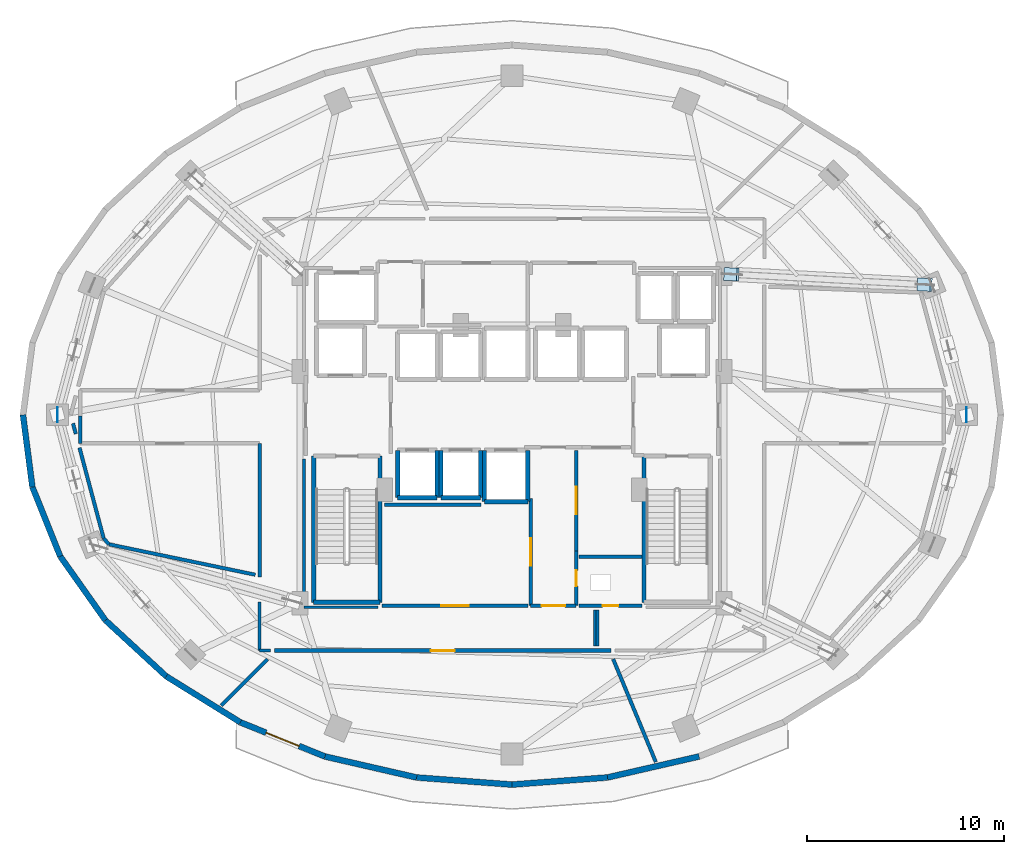
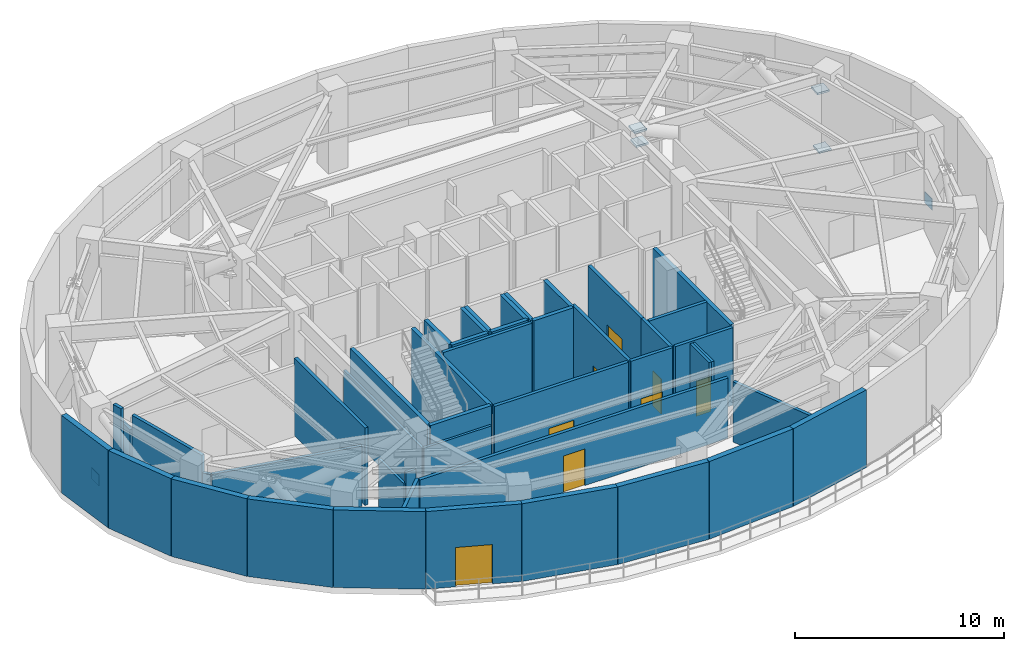
# One storey, part 6 of 11: 46 walls, 8 doors, 6 plates, 8 openings.
"""IFC4 building model written with IfcOpenShell, lengths in metres."""

from ifc_helpers import new_model, si_unit, direction, frame, frame_2d, origin, origin_2d, place, context, subcontext, project, spatial, rectangle, extrude, material, layer, layer_set, type_object, element, fill, save


model = new_model("IFC4")

# Units and contexts
model_context = context("Model", 3, precision=1e-05, world=origin(), true_north=direction((0.0, 1.0)))
body_context = subcontext(model_context, "Body", "Model", "MODEL_VIEW")
ifc_project = project(units=[si_unit("LENGTHUNIT", "METRE"), si_unit("AREAUNIT", "SQUARE_METRE"), si_unit("VOLUMEUNIT", "CUBIC_METRE"), si_unit("PLANEANGLEUNIT", "RADIAN"), si_unit("MASSUNIT", "GRAM", prefix="KILO")], contexts=[model_context])

# Site, building, storey
site_placement = place(None, origin())
site = spatial("IfcSite", under=ifc_project, at=site_placement, CompositionType="ELEMENT")
building_placement = place(site_placement, origin())
building = spatial("IfcBuilding", under=site, at=building_placement, Name="Vorneva Point Tower", CompositionType="ELEMENT")
storey_placement = place(building_placement, frame((0.0, 0.0, 124.300048828125)))
storey = spatial("IfcBuildingStorey", under=building, at=storey_placement, Name="L33", CompositionType="ELEMENT", Elevation=124.300048828125)

# Plates
ifc_material_1 = material(Name="Steel S355", Category="steel")
ifc_layer_1 = layer(ifc_material_1, 0.028076171875)
ifc_layer_set_1 = layer_set([ifc_layer_1], Name="Steel S355")
plate_type_1 = type_object("IfcPlateType", Name="PLT-CAP-INT", PredefinedType="USERDEFINED", material=ifc_layer_set_1)
for number, where, z_axis, x_axis, name in (
    (1, (49.072021484375, 33.1328125, 4.345703125), (0.0, 0.0, 1.0), (0.99855361041, -0.053765110774, 0.0), "L33 Core Outrigger Diagonal 02A end closure plate 1"),
    (2, (58.973388671875, 32.599609375, 0.05224609375), (0.0, 0.0, 1.0), (0.99855361041, -0.053765110774, 0.0), "L33 Core Outrigger Diagonal 02A end closure plate 2"),
    (3, (49.169189453125, 33.12744140625, 3.51416015625), (0.0, 0.0, 1.0), (0.99855361041, -0.053765110774, 0.0), "L33 Core Outrigger Collector Strut 02B end closure plate 1"),
    (4, (58.876220703125, 32.604736328125, 3.51416015625), (0.0, 0.0, 1.0), (0.99855361041, -0.053765110774, 0.0), "L33 Core Outrigger Collector Strut 02B end closure plate 2"),
):
    element("IfcPlate", number, at=place(storey_placement, frame(where, z_axis=z_axis, x_axis=x_axis)), inside=storey, type_object=plate_type_1, Name=name, ObjectType="BASE PLATE", PredefinedType="USERDEFINED", context=body_context, shape_type="SweptSolid", body=[
        extrude(rectangle(XDim=0.64990234375, YDim=0.64990234375, at=origin_2d()), origin(), (0.0, 0.0, 1.0), 0.112060546875),
    ])
ifc_material_2 = material(Name="Steel S460", Category="steel")
ifc_layer_2 = layer(ifc_material_2, 0.031982421875)
ifc_layer_set_2 = layer_set([ifc_layer_2], Name="Steel S460")
plate_type_2 = type_object("IfcPlateType", Name="PLT-GUS-32", PredefinedType="USERDEFINED", material=ifc_layer_set_2)
for number, where, z_axis, x_axis, name in (
    (5, (61.050048828125, 26.0, -0.054931640625), (0.0, 0.0, 1.0), (0.0, 1.0, 0.0), "L33 Belt-Truss Column Base Gusset Plate 01"),
    (6, (14.949951171875, 26.0, -0.054931640625), (0.0, 0.0, 1.0), (0.0, -1.0, 0.0), "L33 Belt-Truss Column Base Gusset Plate 09"),
):
    element("IfcPlate", number, at=place(storey_placement, frame(where, z_axis=z_axis, x_axis=x_axis)), inside=storey, type_object=plate_type_2, Name=name, ObjectType="GUSSET PLATE", PredefinedType="USERDEFINED", context=body_context, shape_type="SweptSolid", body=[
        extrude(rectangle(XDim=0.75, YDim=0.031982421875, at=origin_2d()), origin(), (0.0, 0.0, 1.0), 0.64990234375),
    ])

# Walls
ifc_material_3 = material(Name="Precast concrete B50 (C40/50)", Category="concrete")
ifc_layer_3 = layer(ifc_material_3, 0.300048828125)
ifc_layer_set_3 = layer_set([ifc_layer_3], Name="Precast concrete B50 (C40/50)")
wall_type_1 = type_object("IfcWallType", Name="WL-EXT-300", PredefinedType="STANDARD", material=ifc_layer_set_3)
wall_1_placement = place(storey_placement, frame((13.199951171875, 26.0, 0.0), z_axis=(0.0, 0.0, 1.0), x_axis=(0.129189225186, -0.991619959509, 0.0)))
element("IfcWall", 7, at=wall_1_placement, inside=storey, type_object=wall_type_1, Name="L33 Pale-Metal Facade Spandrel Wall 09.1", PredefinedType="STANDARD", context=body_context, shape_type="SweptSolid", body=[
    extrude(rectangle(XDim=3.68896484375, YDim=0.300048828125, at=frame_2d((1.844482421875, 0.0))), origin(), (0.0, 0.0, 1.0), 4.5400390625),
])
wall_2_placement = place(storey_placement, frame((13.676513671875, 22.342041015625, 0.0), z_axis=(0.0, 0.0, 1.0), x_axis=(0.372401154411, -0.928071861546, 0.0)))
element("IfcWall", 8, at=wall_2_placement, inside=storey, type_object=wall_type_1, Name="L33 Pale-Metal Facade Spandrel Wall 09.2", PredefinedType="STANDARD", context=body_context, shape_type="SweptSolid", body=[
    extrude(rectangle(XDim=3.7900390625, YDim=0.300048828125, at=frame_2d((1.89501953125, 0.0))), origin(), (0.0, 0.0, 1.0), 4.5400390625),
])
wall_3_placement = place(storey_placement, frame((15.087890625, 18.82470703125, 0.0), z_axis=(0.0, 0.0, 1.0), x_axis=(0.577269753207, -0.816553508371, 0.0)))
element("IfcWall", 9, at=wall_3_placement, inside=storey, type_object=wall_type_1, Name="L33 Pale-Metal Facade Spandrel Wall 10.1", PredefinedType="STANDARD", context=body_context, shape_type="SweptSolid", body=[
    extrude(rectangle(XDim=3.969970703125, YDim=0.300048828125, at=frame_2d((1.98486328125, 0.0))), origin(), (0.0, 0.0, 1.0), 4.5400390625),
])
wall_4_placement = place(storey_placement, frame((17.379638671875, 15.5830078125, 0.0), z_axis=(0.0, 0.0, 1.0), x_axis=(0.735477154165, -0.677549522693, 0.0)))
element("IfcWall", 10, at=wall_4_placement, inside=storey, type_object=wall_type_1, Name="L33 Pale-Metal Facade Spandrel Wall 10.2", PredefinedType="STANDARD", context=body_context, shape_type="SweptSolid", body=[
    extrude(rectangle(XDim=4.193603515625, YDim=0.300048828125, at=frame_2d((2.0966796875, 0.0))), origin(), (0.0, 0.0, 1.0), 4.5400390625),
])
wall_5_placement = place(storey_placement, frame((20.4638671875, 12.74169921875, 0.0), z_axis=(0.0, 0.0, 1.0), x_axis=(0.849721181976, -0.527232313977, 0.0)))
element("IfcWall", 11, at=wall_5_placement, inside=storey, type_object=wall_type_1, Name="L33 Pale-Metal Facade Spandrel Wall 11.1", PredefinedType="STANDARD", context=body_context, shape_type="SweptSolid", body=[
    extrude(rectangle(XDim=4.422607421875, YDim=0.300048828125, at=frame_2d((2.21142578125, 0.0))), origin(), (0.0, 0.0, 1.0), 4.5400390625),
])

# Wall, opening, door
wall_6_placement = place(storey_placement, frame((24.221923828125, 10.409912109375, 0.0), z_axis=(0.0, 0.0, 1.0), x_axis=(0.927156504392, -0.374674280359, 0.0)))
wall_6 = element("IfcWall", 12, at=wall_6_placement, inside=storey, type_object=wall_type_1, Name="L33 Pale-Metal Facade Spandrel Wall 11.2", PredefinedType="STANDARD", context=body_context, shape_type="SweptSolid", body=[
    extrude(rectangle(XDim=4.62451171875, YDim=0.300048828125, at=frame_2d((2.312255859375, 0.0))), origin(), (0.0, 0.0, 1.0), 4.5400390625),
])
opening_1_placement = place(wall_6_placement, frame((1.412109375, 0.0, 0.0)))
opening_1 = element("IfcOpeningElement", 13, at=opening_1_placement, cuts=wall_6, Name="Opening BD-02", PredefinedType="OPENING", context=body_context, shape_type="SweptSolid", body=[
    extrude(rectangle(XDim=1.800048828125, YDim=2.300048828125, at=frame_2d((0.89990234375, 1.14990234375))), frame((0.0, 0.1650390625, 0.0), z_axis=(0.0, -1.0, 0.0), x_axis=(1.0, 0.0, 0.0)), (0.0, 0.0, 1.0), 0.329833984375),
])
ifc_material_4 = material(Name="Pale anodised aluminium", Category="aluminium")
door_type_1 = type_object("IfcDoorType", Name="DR-TER-1800", OperationType="DOUBLE_SWING_LEFT", PredefinedType="DOOR", material=ifc_material_4)
door_1_placement = place(opening_1_placement, origin())
door_1 = element("IfcDoor", 14, at=door_1_placement, inside=storey, type_object=door_type_1, Name="L33 Balcony Terrace Access Door 11", OperationType="DOUBLE_SWING_LEFT", OverallHeight=2.300048828125, OverallWidth=1.800048828125, PredefinedType="DOOR", context=body_context, shape_type="SweptSolid", body=[
    extrude(rectangle(XDim=1.800048828125, YDim=2.300048828125, at=frame_2d((0.89990234375, 1.14990234375))), frame((0.0, 0.02490234375, 0.0), z_axis=(0.0, -1.0, 0.0), x_axis=(1.0, 0.0, 0.0)), (0.0, 0.0, 1.0), 0.050048828125),
])
fill(opening_1, door_1)

# Walls
wall_7_placement = place(storey_placement, frame((28.509521484375, 8.67724609375, 0.0), z_axis=(0.0, 0.0, 1.0), x_axis=(0.974698897188, -0.223521944832, 0.0)))
element("IfcWall", 15, at=wall_7_placement, inside=storey, type_object=wall_type_1, Name="L33 Pale-Metal Facade Spandrel Wall 12.1", PredefinedType="STANDARD", context=body_context, shape_type="SweptSolid", body=[
    extrude(rectangle(XDim=4.773193359375, YDim=0.300048828125, at=frame_2d((2.38671875, 0.0))), origin(), (0.0, 0.0, 1.0), 4.5400390625),
])
for number, where, z_axis, x_axis, name in (
    (16, (33.161865234375, 7.6103515625, 0.0), (0.0, 0.0, 1.0), (0.997237740067, -0.074275768499, 0.0), "L33 Pale-Metal Facade Spandrel Wall 12.2"),
    (17, (38.0, 7.25, 0.0), (0.0, 0.0, 1.0), (0.997237740067, 0.074275768499, 0.0), "L33 Pale-Metal Facade Spandrel Wall 13.1"),
):
    element("IfcWall", number, at=place(storey_placement, frame(where, z_axis=z_axis, x_axis=x_axis)), inside=storey, type_object=wall_type_1, Name=name, PredefinedType="STANDARD", context=body_context, shape_type="SweptSolid", body=[
        extrude(rectangle(XDim=4.8515625, YDim=0.300048828125, at=frame_2d((2.42578125, 0.0))), origin(), (0.0, 0.0, 1.0), 4.5400390625),
    ])
wall_8_placement = place(storey_placement, frame((42.838134765625, 7.6103515625, 0.0), z_axis=(0.0, 0.0, 1.0), x_axis=(0.974698897188, 0.223521944832, 0.0)))
element("IfcWall", 18, at=wall_8_placement, inside=storey, type_object=wall_type_1, Name="L33 Pale-Metal Facade Spandrel Wall 13.2", PredefinedType="STANDARD", context=body_context, shape_type="SweptSolid", body=[
    extrude(rectangle(XDim=4.773193359375, YDim=0.300048828125, at=frame_2d((2.38671875, 0.0))), origin(), (0.0, 0.0, 1.0), 4.5400390625),
])
ifc_material_5 = material(Name="Fire-rated acoustic gypsum stud partition", Category="gypsum")
ifc_layer_4 = layer(ifc_material_5, 0.139892578125)
ifc_layer_set_4 = layer_set([ifc_layer_4], Name="Fire-rated acoustic gypsum stud partition")
wall_type_2 = type_object("IfcWallType", Name="WL-PART-140", PredefinedType="PARTITIONING", material=ifc_layer_set_4)
wall_9_placement = place(storey_placement, frame((25.199951171875, 16.511962890625, 0.0), z_axis=(0.0, 0.0, 1.0), x_axis=(0.0, -1.0, 0.0)))
element("IfcWall", 19, at=wall_9_placement, inside=storey, type_object=wall_type_2, Name="L33 Interior Closure Partition 047", PredefinedType="PARTITIONING", context=body_context, shape_type="SweptSolid", body=[
    extrude(rectangle(XDim=2.4619140625, YDim=0.139892578125, at=frame_2d((1.23095703125, 0.0))), origin(), (0.0, 0.0, 1.0), 3.52197265625),
])
wall_10_placement = place(storey_placement, frame((25.199951171875, 14.050048828125, 0.0), z_axis=(0.0, 0.0, 1.0), x_axis=(1.0, 0.0, 0.0)))
element("IfcWall", 20, at=wall_10_placement, inside=storey, type_object=wall_type_2, Name="L33 Interior Closure Partition 048", PredefinedType="PARTITIONING", context=body_context, shape_type="SweptSolid", body=[
    extrude(rectangle(XDim=0.545166015625, YDim=0.139892578125, at=frame_2d((0.2724609375, 0.0))), origin(), (0.0, 0.0, 1.0), 4.22900390625),
])
wall_11_placement = place(storey_placement, frame((27.449951171875, 23.75390625, 0.0), z_axis=(0.0, 0.0, 1.0), x_axis=(0.0, -1.0, 0.0)))
element("IfcWall", 21, at=wall_11_placement, inside=storey, type_object=wall_type_2, Name="L33 Interior Closure Partition 055", PredefinedType="PARTITIONING", context=body_context, shape_type="SweptSolid", body=[
    extrude(rectangle(XDim=7.513916015625, YDim=0.139892578125, at=frame_2d((3.7568359375, 0.0))), origin(), (0.0, 0.0, 1.0), 3.52197265625),
])
wall_12_placement = place(storey_placement, frame((27.449951171875, 16.239990234375, 0.0), z_axis=(0.0, 0.0, 1.0), x_axis=(1.0, 0.0, 0.0)))
element("IfcWall", 22, at=wall_12_placement, inside=storey, type_object=wall_type_2, Name="L33 Interior Closure Partition 056", PredefinedType="PARTITIONING", context=body_context, shape_type="SweptSolid", body=[
    extrude(rectangle(XDim=3.7451171875, YDim=0.139892578125, at=frame_2d((1.87255859375, 0.0))), origin(), (0.0, 0.0, 1.0), 3.52197265625),
])
for number, where, z_axis, x_axis, name in (
    (23, (42.199951171875, 16.10009765625, 0.0), (0.0, 0.0, 1.0), (0.0, -1.0, 0.0), "L33 Interior Closure Partition 057"),
    (24, (42.340087890625, 14.27001953125, 0.0), (0.0, 0.0, 1.0), (0.0, 1.0, 0.0), "L33 Interior Closure Partition 058"),
):
    element("IfcWall", number, at=place(storey_placement, frame(where, z_axis=z_axis, x_axis=x_axis)), inside=storey, type_object=wall_type_2, Name=name, PredefinedType="PARTITIONING", context=body_context, shape_type="SweptSolid", body=[
        extrude(rectangle(XDim=1.830078125, YDim=0.139892578125, at=frame_2d((0.9150390625, 0.0))), origin(), (0.0, 0.0, 1.0), 4.5400390625),
    ])

# Wall, opening, door
ifc_material_6 = material(Name="Autoclaved aerated concrete blockwork", Category="masonry")
ifc_layer_5 = layer(ifc_material_6, 0.179931640625)
ifc_layer_set_5 = layer_set([ifc_layer_5], Name="Autoclaved aerated concrete blockwork")
wall_type_3 = type_object("IfcWallType", Name="WL-PART-180", PredefinedType="PARTITIONING", material=ifc_layer_set_5)
wall_13_placement = place(storey_placement, frame((38.949951171875, 21.7548828125, 0.0), z_axis=(0.0, 0.0, 1.0), x_axis=(0.0, -1.0, 0.0)))
wall_13 = element("IfcWall", 25, at=wall_13_placement, inside=storey, type_object=wall_type_3, Name="L33 Interior Partition 011", PredefinedType="PARTITIONING", context=body_context, shape_type="SweptSolid", body=[
    extrude(rectangle(XDim=5.434814453125, YDim=0.179931640625, at=frame_2d((2.71728515625, 0.0))), origin(), (0.0, 0.0, 1.0), 4.5400390625),
])
opening_2_placement = place(wall_13_placement, frame((2.017578125, 0.0, 0.0)))
opening_2 = element("IfcOpeningElement", 26, at=opening_2_placement, cuts=wall_13, Name="Opening FD-03", PredefinedType="OPENING", context=body_context, shape_type="SweptSolid", body=[
    extrude(rectangle(XDim=1.39990234375, YDim=2.199951171875, at=frame_2d((0.699951171875, 1.10009765625))), frame((0.0, 0.10498046875, 0.0), z_axis=(0.0, -1.0, 0.0), x_axis=(1.0, 0.0, 0.0)), (0.0, 0.0, 1.0), 0.209716796875),
])
ifc_material_7 = material(Name="Fire-rated powder-coated steel", Category="steel")
door_type_2 = type_object("IfcDoorType", Name="DR-PLT-1400", OperationType="DOUBLE_SWING_LEFT", PredefinedType="DOOR", material=ifc_material_7)
door_2_placement = place(opening_2_placement, origin())
door_2 = element("IfcDoor", 27, at=door_2_placement, inside=storey, type_object=door_type_2, Name="L33 Door Core Service Lobby / Core Hydraulic Pump Plant L33", OperationType="DOUBLE_SWING_LEFT", OverallHeight=2.199951171875, OverallWidth=1.39990234375, PredefinedType="DOOR", context=body_context, shape_type="SweptSolid", body=[
    extrude(rectangle(XDim=1.39990234375, YDim=2.199951171875, at=frame_2d((0.699951171875, 1.10009765625))), frame((0.0, 0.02490234375, 0.0), z_axis=(0.0, -1.0, 0.0), x_axis=(1.0, 0.0, 0.0)), (0.0, 0.0, 1.0), 0.050048828125),
])
fill(opening_2, door_2)

wall_14_placement = place(storey_placement, frame((41.25, 16.320068359375, 0.0), z_axis=(0.0, 0.0, 1.0), x_axis=(0.0, 1.0, 0.0)))
wall_14 = element("IfcWall", 28, at=wall_14_placement, inside=storey, type_object=wall_type_3, Name="L33 Interior Partition 012", PredefinedType="PARTITIONING", context=body_context, shape_type="SweptSolid", body=[
    extrude(rectangle(XDim=2.784912109375, YDim=0.179931640625, at=frame_2d((1.392578125, 0.0))), origin(), (0.0, 0.0, 1.0), 4.5400390625),
])
opening_3_placement = place(wall_14_placement, frame((0.992431640625, 0.0, 0.0)))
opening_3 = element("IfcOpeningElement", 29, at=opening_3_placement, cuts=wall_14, Name="Opening RD-01", PredefinedType="OPENING", context=body_context, shape_type="SweptSolid", body=[
    extrude(rectangle(XDim=0.800048828125, YDim=2.050048828125, at=frame_2d((0.39990234375, 1.02490234375))), frame((0.0, 0.10498046875, 0.0), z_axis=(0.0, -1.0, 0.0), x_axis=(1.0, 0.0, 0.0)), (0.0, 0.0, 1.0), 0.209716796875),
])
door_type_3 = type_object("IfcDoorType", Name="DR-RSR-800", OperationType="SINGLE_SWING_LEFT", PredefinedType="DOOR", material=ifc_material_7)
door_3_placement = place(opening_3_placement, origin())
door_3 = element("IfcDoor", 30, at=door_3_placement, inside=storey, type_object=door_type_3, Name="L33 Door Core Service Lobby / Electrical Riser", OperationType="SINGLE_SWING_LEFT", OverallHeight=2.050048828125, OverallWidth=0.800048828125, PredefinedType="DOOR", context=body_context, shape_type="SweptSolid", body=[
    extrude(rectangle(XDim=0.800048828125, YDim=2.050048828125, at=frame_2d((0.39990234375, 1.02490234375))), frame((0.0, 0.02490234375, 0.0), z_axis=(0.0, -1.0, 0.0), x_axis=(1.0, 0.0, 0.0)), (0.0, 0.0, 1.0), 0.050048828125),
])
fill(opening_3, door_3)

wall_15_placement = place(storey_placement, frame((41.25, 19.10498046875, 0.0), z_axis=(0.0, 0.0, 1.0), x_axis=(0.0, 1.0, 0.0)))
wall_15 = element("IfcWall", 31, at=wall_15_placement, inside=storey, type_object=wall_type_3, Name="L33 Interior Partition 013", PredefinedType="PARTITIONING", context=body_context, shape_type="SweptSolid", body=[
    extrude(rectangle(XDim=5.094970703125, YDim=0.179931640625, at=frame_2d((2.54736328125, 0.0))), origin(), (0.0, 0.0, 1.0), 4.5400390625),
])
opening_4_placement = place(wall_15_placement, frame((1.847412109375, 0.0, 0.0)))
opening_4 = element("IfcOpeningElement", 32, at=opening_4_placement, cuts=wall_15, Name="Opening FD-03", PredefinedType="OPENING", context=body_context, shape_type="SweptSolid", body=[
    extrude(rectangle(XDim=1.39990234375, YDim=2.199951171875, at=frame_2d((0.699951171875, 1.10009765625))), frame((0.0, 0.10498046875, 0.0), z_axis=(0.0, -1.0, 0.0), x_axis=(1.0, 0.0, 0.0)), (0.0, 0.0, 1.0), 0.209716796875),
])
door_4_placement = place(opening_4_placement, origin())
door_4 = element("IfcDoor", 33, at=door_4_placement, inside=storey, type_object=door_type_2, Name="L33 Door Core Service Lobby / Core BMS Control Plant L33", OperationType="DOUBLE_SWING_LEFT", OverallHeight=2.199951171875, OverallWidth=1.39990234375, PredefinedType="DOOR", context=body_context, shape_type="SweptSolid", body=[
    extrude(rectangle(XDim=1.39990234375, YDim=2.199951171875, at=frame_2d((0.699951171875, 1.10009765625))), frame((0.0, 0.02490234375, 0.0), z_axis=(0.0, -1.0, 0.0), x_axis=(1.0, 0.0, 0.0)), (0.0, 0.0, 1.0), 0.050048828125),
])
fill(opening_4, door_4)

wall_16_placement = place(storey_placement, frame((38.949951171875, 16.320068359375, 0.0), z_axis=(0.0, 0.0, 1.0), x_axis=(1.0, 0.0, 0.0)))
wall_16 = element("IfcWall", 34, at=wall_16_placement, inside=storey, type_object=wall_type_3, Name="L33 Interior Partition 014", PredefinedType="PARTITIONING", context=body_context, shape_type="SweptSolid", body=[
    extrude(rectangle(XDim=2.300048828125, YDim=0.179931640625, at=frame_2d((1.14990234375, 0.0))), origin(), (0.0, 0.0, 1.0), 4.5400390625),
])
opening_5_placement = place(wall_16_placement, frame((0.550048828125, 0.0, 0.0)))
opening_5 = element("IfcOpeningElement", 35, at=opening_5_placement, cuts=wall_16, Name="Opening FD-02", PredefinedType="OPENING", context=body_context, shape_type="SweptSolid", body=[
    extrude(rectangle(XDim=1.199951171875, YDim=2.14990234375, at=frame_2d((0.60009765625, 1.074951171875))), frame((0.0, 0.10498046875, 0.0), z_axis=(0.0, -1.0, 0.0), x_axis=(1.0, 0.0, 0.0)), (0.0, 0.0, 1.0), 0.209716796875),
])
door_type_4 = type_object("IfcDoorType", Name="DR-FFL-1200", OperationType="NOTDEFINED", PredefinedType="DOOR", material=ifc_material_7)
door_5_placement = place(opening_5_placement, origin())
door_5 = element("IfcDoor", 36, at=door_5_placement, inside=storey, type_object=door_type_4, Name="L33 Door Core Service Lobby / L33 Refuge and Lift Lobby", OperationType="SINGLE_SWING_LEFT", OverallHeight=2.14990234375, OverallWidth=1.199951171875, PredefinedType="DOOR", context=body_context, shape_type="SweptSolid", body=[
    extrude(rectangle(XDim=1.199951171875, YDim=2.14990234375, at=frame_2d((0.60009765625, 1.074951171875))), frame((0.0, 0.02490234375, 0.0), z_axis=(0.0, -1.0, 0.0), x_axis=(1.0, 0.0, 0.0)), (0.0, 0.0, 1.0), 0.050048828125),
])
fill(opening_5, door_5)

wall_17_placement = place(storey_placement, frame((31.39990234375, 16.320068359375, 0.0), z_axis=(0.0, 0.0, 1.0), x_axis=(1.0, 0.0, 0.0)))
wall_17 = element("IfcWall", 37, at=wall_17_placement, inside=storey, type_object=wall_type_3, Name="L33 Interior Partition 020", PredefinedType="PARTITIONING", context=body_context, shape_type="SweptSolid", body=[
    extrude(rectangle(XDim=7.400146484375, YDim=0.179931640625, at=frame_2d((3.7001953125, 0.0))), origin(), (0.0, 0.0, 1.0), 4.5400390625),
])
opening_6_placement = place(wall_17_placement, frame((3.0, 0.0, 0.0)))
opening_6 = element("IfcOpeningElement", 38, at=opening_6_placement, cuts=wall_17, Name="Opening FD-03", PredefinedType="OPENING", context=body_context, shape_type="SweptSolid", body=[
    extrude(rectangle(XDim=1.39990234375, YDim=2.199951171875, at=frame_2d((0.699951171875, 1.10009765625))), frame((0.0, 0.10498046875, 0.0), z_axis=(0.0, -1.0, 0.0), x_axis=(1.0, 0.0, 0.0)), (0.0, 0.0, 1.0), 0.209716796875),
])
door_6_placement = place(opening_6_placement, origin())
door_6 = element("IfcDoor", 39, at=door_6_placement, inside=storey, type_object=door_type_2, Name="L33 Door Core Hydraulic Pump Plant L33 / L33 Refuge and Lift Lobby", OperationType="DOUBLE_SWING_LEFT", OverallHeight=2.199951171875, OverallWidth=1.39990234375, PredefinedType="DOOR", context=body_context, shape_type="SweptSolid", body=[
    extrude(rectangle(XDim=1.39990234375, YDim=2.199951171875, at=frame_2d((0.699951171875, 1.10009765625))), frame((0.0, 0.02490234375, 0.0), z_axis=(0.0, -1.0, 0.0), x_axis=(1.0, 0.0, 0.0)), (0.0, 0.0, 1.0), 0.050048828125),
])
fill(opening_6, door_6)

# Wall
wall_18_placement = place(storey_placement, frame((44.60009765625, 18.800048828125, 0.0), z_axis=(0.0, 0.0, 1.0), x_axis=(-1.0, 0.0, 0.0)))
element("IfcWall", 40, at=wall_18_placement, inside=storey, type_object=wall_type_3, Name="L33 Interior Partition 021", PredefinedType="PARTITIONING", context=body_context, shape_type="SweptSolid", body=[
    extrude(rectangle(XDim=3.2001953125, YDim=0.179931640625, at=frame_2d((1.60009765625, 0.0))), origin(), (0.0, 0.0, 1.0), 4.5400390625),
])

# Wall, opening, door
wall_19_placement = place(storey_placement, frame((41.39990234375, 16.320068359375, 0.0), z_axis=(0.0, 0.0, 1.0), x_axis=(1.0, 0.0, 0.0)))
wall_19 = element("IfcWall", 41, at=wall_19_placement, inside=storey, type_object=wall_type_3, Name="L33 Interior Partition 022", PredefinedType="PARTITIONING", context=body_context, shape_type="SweptSolid", body=[
    extrude(rectangle(XDim=3.2001953125, YDim=0.179931640625, at=frame_2d((1.60009765625, 0.0))), origin(), (0.0, 0.0, 1.0), 4.5400390625),
])
opening_7_placement = place(wall_19_placement, frame((1.199951171875, 0.0, 0.0)))
opening_7 = element("IfcOpeningElement", 42, at=opening_7_placement, cuts=wall_19, Name="Opening RD-01", PredefinedType="OPENING", context=body_context, shape_type="SweptSolid", body=[
    extrude(rectangle(XDim=0.800048828125, YDim=2.050048828125, at=frame_2d((0.39990234375, 1.02490234375))), frame((0.0, 0.10498046875, 0.0), z_axis=(0.0, -1.0, 0.0), x_axis=(1.0, 0.0, 0.0)), (0.0, 0.0, 1.0), 0.209716796875),
])
door_7_placement = place(opening_7_placement, origin())
door_7 = element("IfcDoor", 43, at=door_7_placement, inside=storey, type_object=door_type_3, Name="L33 Door Electrical Riser / L33 Refuge and Lift Lobby", OperationType="SINGLE_SWING_LEFT", OverallHeight=2.050048828125, OverallWidth=0.800048828125, PredefinedType="DOOR", context=body_context, shape_type="SweptSolid", body=[
    extrude(rectangle(XDim=0.800048828125, YDim=2.050048828125, at=frame_2d((0.39990234375, 1.02490234375))), frame((0.0, 0.02490234375, 0.0), z_axis=(0.0, -1.0, 0.0), x_axis=(1.0, 0.0, 0.0)), (0.0, 0.0, 1.0), 0.050048828125),
])
fill(opening_7, door_7)

# Walls
wall_20_placement = place(storey_placement, frame((16.10009765625, 25.93994140625, 0.0), z_axis=(0.0, 0.0, 1.0), x_axis=(0.0, -1.0, 0.0)))
element("IfcWall", 44, at=wall_20_placement, inside=storey, type_object=wall_type_3, Name="L33 Interior Partition 027", PredefinedType="PARTITIONING", context=body_context, shape_type="SweptSolid", body=[
    extrude(rectangle(XDim=1.389892578125, YDim=0.179931640625, at=frame_2d((0.69482421875, 0.0))), origin(), (0.0, 0.0, 1.0), 3.52197265625),
])
wall_21_placement = place(storey_placement, frame((25.199951171875, 24.550048828125, 0.0), z_axis=(0.0, 0.0, 1.0), x_axis=(0.0, -1.0, 0.0)))
element("IfcWall", 45, at=wall_21_placement, inside=storey, type_object=wall_type_3, Name="L33 Interior Partition 029", PredefinedType="PARTITIONING", context=body_context, shape_type="SweptSolid", body=[
    extrude(rectangle(XDim=6.76416015625, YDim=0.179931640625, at=frame_2d((3.382080078125, 0.0))), origin(), (0.0, 0.0, 1.0), 4.5400390625),
])

# Wall, opening, door
wall_22_placement = place(storey_placement, frame((25.965087890625, 14.050048828125, 0.0), z_axis=(0.0, 0.0, 1.0), x_axis=(1.0, 0.0, 0.0)))
wall_22 = element("IfcWall", 46, at=wall_22_placement, inside=storey, type_object=wall_type_3, Name="L33 Interior Partition 030", PredefinedType="PARTITIONING", context=body_context, shape_type="SweptSolid", body=[
    extrude(rectangle(XDim=17.0498046875, YDim=0.179931640625, at=frame_2d((8.52490234375, 0.0))), origin(), (0.0, 0.0, 1.0), 3.52197265625),
])
opening_8_placement = place(wall_22_placement, frame((7.925048828125, 0.0, 0.0)))
opening_8 = element("IfcOpeningElement", 47, at=opening_8_placement, cuts=wall_22, Name="Opening FD-02", PredefinedType="OPENING", context=body_context, shape_type="SweptSolid", body=[
    extrude(rectangle(XDim=1.199951171875, YDim=2.14990234375, at=frame_2d((0.60009765625, 1.074951171875))), frame((0.0, 0.10498046875, 0.0), z_axis=(0.0, -1.0, 0.0), x_axis=(1.0, 0.0, 0.0)), (0.0, 0.0, 1.0), 0.209716796875),
])
door_8_placement = place(opening_8_placement, origin())
door_8 = element("IfcDoor", 48, at=door_8_placement, inside=storey, type_object=door_type_4, Name="L33 Door L33 Refuge and Lift Lobby / Refuge Area South L33", OperationType="SINGLE_SWING_LEFT", OverallHeight=2.14990234375, OverallWidth=1.199951171875, PredefinedType="DOOR", context=body_context, shape_type="SweptSolid", body=[
    extrude(rectangle(XDim=1.199951171875, YDim=2.14990234375, at=frame_2d((0.60009765625, 1.074951171875))), frame((0.0, 0.02490234375, 0.0), z_axis=(0.0, -1.0, 0.0), x_axis=(1.0, 0.0, 0.0)), (0.0, 0.0, 1.0), 0.050048828125),
])
fill(opening_8, door_8)

# Walls
wall_23_placement = place(storey_placement, frame((36.43896484375, 21.449951171875, 0.0), z_axis=(0.0, 0.0, 1.0), x_axis=(-1.0, 0.0, 0.0)))
element("IfcWall", 49, at=wall_23_placement, inside=storey, type_object=wall_type_3, Name="L33 Interior Closure Partition 041", PredefinedType="PARTITIONING", context=body_context, shape_type="SweptSolid", body=[
    extrude(rectangle(XDim=4.908935546875, YDim=0.179931640625, at=frame_2d((2.45458984375, 0.0))), origin(), (0.0, 0.0, 1.0), 4.5400390625),
])
wall_24_placement = place(storey_placement, frame((15.739013671875, 25.56591796875, 0.0), z_axis=(0.0, 0.0, 1.0), x_axis=(0.256859051488, -0.966448874835, 0.0)))
element("IfcWall", 50, at=wall_24_placement, inside=storey, type_object=wall_type_3, Name="L33 Interior Closure Partition 069", PredefinedType="PARTITIONING", context=body_context, shape_type="SweptSolid", body=[
    extrude(rectangle(XDim=0.54833984375, YDim=0.179931640625, at=frame_2d((0.274169921875, 0.0))), origin(), (0.0, 0.0, 1.0), 4.5400390625),
])
wall_25_placement = place(storey_placement, frame((16.068115234375, 24.3330078125, 0.0), z_axis=(0.0, 0.0, 1.0), x_axis=(0.257467803187, -0.966286877859, 0.0)))
element("IfcWall", 51, at=wall_25_placement, inside=storey, type_object=wall_type_3, Name="L33 Interior Closure Partition 070", PredefinedType="PARTITIONING", context=body_context, shape_type="SweptSolid", body=[
    extrude(rectangle(XDim=4.75732421875, YDim=0.179931640625, at=frame_2d((2.378662109375, 0.0))), origin(), (0.0, 0.0, 1.0), 4.5400390625),
])
wall_26_placement = place(storey_placement, frame((17.29296875, 19.736083984375, 0.0), z_axis=(0.0, 0.0, 1.0), x_axis=(0.666530578837, -0.745477690797, 0.0)))
element("IfcWall", 52, at=wall_26_placement, inside=storey, type_object=wall_type_3, Name="L33 Interior Closure Partition 071", PredefinedType="PARTITIONING", context=body_context, shape_type="SweptSolid", body=[
    extrude(rectangle(XDim=0.405029296875, YDim=0.179931640625, at=frame_2d((0.20263671875, 0.0))), origin(), (0.0, 0.0, 1.0), 3.52197265625),
])
wall_27_placement = place(storey_placement, frame((17.56298828125, 19.43408203125, 0.0), z_axis=(0.0, 0.0, 1.0), x_axis=(0.979065059259, -0.203547561365, 0.0)))
element("IfcWall", 53, at=wall_27_placement, inside=storey, type_object=wall_type_3, Name="L33 Interior Closure Partition 072", PredefinedType="PARTITIONING", context=body_context, shape_type="SweptSolid", body=[
    extrude(rectangle(XDim=7.57568359375, YDim=0.179931640625, at=frame_2d((3.787841796875, 0.0))), origin(), (0.0, 0.0, 1.0), 3.52197265625),
])
wall_28_placement = place(storey_placement, frame((25.60009765625, 13.60009765625, 0.0), z_axis=(0.0, 0.0, 1.0), x_axis=(-0.707106781187, -0.707106781187, 0.0)))
element("IfcWall", 54, at=wall_28_placement, inside=storey, type_object=wall_type_3, Name="L33 Interior Closure Partition 073", PredefinedType="PARTITIONING", context=body_context, shape_type="SweptSolid", body=[
    extrude(rectangle(XDim=3.30517578125, YDim=0.179931640625, at=frame_2d((1.652587890625, 0.0))), origin(), (0.0, 0.0, 1.0), 3.97705078125),
])
wall_29_placement = place(storey_placement, frame((45.291015625, 8.39892578125, 0.0), z_axis=(0.0, 0.0, 1.0), x_axis=(-0.382707098206, 0.923869729444, 0.0)))
element("IfcWall", 55, at=wall_29_placement, inside=storey, type_object=wall_type_3, Name="L33 Interior Closure Partition 074", PredefinedType="PARTITIONING", context=body_context, shape_type="SweptSolid", body=[
    extrude(rectangle(XDim=5.643798828125, YDim=0.179931640625, at=frame_2d((2.82177734375, 0.0))), origin(), (0.0, 0.0, 1.0), 3.52197265625),
])
ifc_material_8 = material(Name="Concrete B50 (C40/50)", Category="concrete")
ifc_layer_6 = layer(ifc_material_8, 0.219970703125)
ifc_layer_set_6 = layer_set([ifc_layer_6], Name="Concrete B50 (C40/50)")
wall_type_4 = type_object("IfcWallType", Name="WL-SHFT-220", PredefinedType="SOLIDWALL", material=ifc_layer_set_6)
wall_30_placement = place(storey_placement, frame((31.31005859375, 23.909912109375, 0.0), z_axis=(0.0, 0.0, 1.0), x_axis=(0.0, -1.0, 0.0)))
element("IfcWall", 56, at=wall_30_placement, inside=storey, type_object=wall_type_4, Name="L33 Exit Stair ST1 Shaft Wall right", PredefinedType="SOLIDWALL", context=body_context, shape_type="SweptSolid", body=[
    extrude(rectangle(XDim=7.419921875, YDim=0.219970703125, at=frame_2d((3.7099609375, 0.0))), origin(), (0.0, 0.0, 1.0), 4.5400390625),
])
wall_31_placement = place(storey_placement, frame((31.31005859375, 16.489990234375, 0.0), z_axis=(0.0, 0.0, 1.0), x_axis=(-1.0, 0.0, 0.0)))
element("IfcWall", 57, at=wall_31_placement, inside=storey, type_object=wall_type_4, Name="L33 Exit Stair ST1 Shaft Wall far", PredefinedType="SOLIDWALL", context=body_context, shape_type="SweptSolid", body=[
    extrude(rectangle(XDim=3.3701171875, YDim=0.219970703125, at=frame_2d((1.68505859375, 0.0))), origin(), (0.0, 0.0, 1.0), 4.5400390625),
])
for number, where, z_axis, x_axis, name in (
    (58, (27.93994140625, 16.489990234375, 0.0), (0.0, 0.0, 1.0), (0.0, 1.0, 0.0), "L33 Exit Stair ST1 Shaft Wall left"),
    (59, (44.68994140625, 16.489990234375, 0.0), (0.0, 0.0, 1.0), (0.0, 1.0, 0.0), "L33 Exit Stair ST2 Shaft Wall left"),
):
    element("IfcWall", number, at=place(storey_placement, frame(where, z_axis=z_axis, x_axis=x_axis)), inside=storey, type_object=wall_type_4, Name=name, PredefinedType="SOLIDWALL", context=body_context, shape_type="SweptSolid", body=[
        extrude(rectangle(XDim=7.419921875, YDim=0.219970703125, at=frame_2d((3.7099609375, 0.0))), origin(), (0.0, 0.0, 1.0), 4.5400390625),
    ])
wall_32_placement = place(storey_placement, frame((32.199951171875, 21.800048828125, 0.0), z_axis=(0.0, 0.0, 1.0), x_axis=(1.0, 0.0, 0.0)))
element("IfcWall", 60, at=wall_32_placement, inside=storey, type_object=wall_type_4, Name="L33 Lift PL4 Shaft Wall -Y", PredefinedType="SOLIDWALL", context=body_context, shape_type="SweptSolid", body=[
    extrude(rectangle(XDim=2.0, YDim=0.219970703125, at=frame_2d((1.0, 0.0))), origin(), (0.0, 0.0, 1.0), 4.5400390625),
])
for number, where, z_axis, x_axis, name in (
    (61, (34.199951171875, 21.800048828125, 0.0), (0.0, 0.0, 1.0), (0.0, 1.0, 0.0), "L33 Lift PL4 Shaft Wall +X"),
    (62, (32.199951171875, 24.199951171875, 0.0), (0.0, 0.0, 1.0), (0.0, -1.0, 0.0), "L33 Lift PL4 Shaft Wall -X"),
):
    element("IfcWall", number, at=place(storey_placement, frame(where, z_axis=z_axis, x_axis=x_axis)), inside=storey, type_object=wall_type_4, Name=name, PredefinedType="SOLIDWALL", context=body_context, shape_type="SweptSolid", body=[
        extrude(rectangle(XDim=2.39990234375, YDim=0.219970703125, at=frame_2d((1.199951171875, 0.0))), origin(), (0.0, 0.0, 1.0), 4.5400390625),
    ])
wall_33_placement = place(storey_placement, frame((34.39990234375, 21.800048828125, 0.0), z_axis=(0.0, 0.0, 1.0), x_axis=(1.0, 0.0, 0.0)))
element("IfcWall", 63, at=wall_33_placement, inside=storey, type_object=wall_type_4, Name="L33 Lift PL5 Shaft Wall -Y", PredefinedType="SOLIDWALL", context=body_context, shape_type="SweptSolid", body=[
    extrude(rectangle(XDim=2.0, YDim=0.219970703125, at=frame_2d((1.0, 0.0))), origin(), (0.0, 0.0, 1.0), 4.5400390625),
])
for number, where, z_axis, x_axis, name in (
    (64, (36.39990234375, 21.800048828125, 0.0), (0.0, 0.0, 1.0), (0.0, 1.0, 0.0), "L33 Lift PL5 Shaft Wall +X"),
    (65, (34.39990234375, 24.199951171875, 0.0), (0.0, 0.0, 1.0), (0.0, -1.0, 0.0), "L33 Lift PL5 Shaft Wall -X"),
):
    element("IfcWall", number, at=place(storey_placement, frame(where, z_axis=z_axis, x_axis=x_axis)), inside=storey, type_object=wall_type_4, Name=name, PredefinedType="SOLIDWALL", context=body_context, shape_type="SweptSolid", body=[
        extrude(rectangle(XDim=2.39990234375, YDim=0.219970703125, at=frame_2d((1.199951171875, 0.0))), origin(), (0.0, 0.0, 1.0), 4.5400390625),
    ])
wall_34_placement = place(storey_placement, frame((36.60009765625, 21.60009765625, 0.0), z_axis=(0.0, 0.0, 1.0), x_axis=(1.0, 0.0, 0.0)))
element("IfcWall", 66, at=wall_34_placement, inside=storey, type_object=wall_type_4, Name="L33 Lift PL6 Shaft Wall -Y", PredefinedType="SOLIDWALL", context=body_context, shape_type="SweptSolid", body=[
    extrude(rectangle(XDim=2.199951171875, YDim=0.219970703125, at=frame_2d((1.10009765625, 0.0))), origin(), (0.0, 0.0, 1.0), 4.5400390625),
])
for number, where, z_axis, x_axis, name in (
    (67, (38.800048828125, 21.60009765625, 0.0), (0.0, 0.0, 1.0), (0.0, 1.0, 0.0), "L33 Lift PL6 Shaft Wall +X"),
    (68, (36.60009765625, 24.199951171875, 0.0), (0.0, 0.0, 1.0), (0.0, -1.0, 0.0), "L33 Lift PL6 Shaft Wall -X"),
):
    element("IfcWall", number, at=place(storey_placement, frame(where, z_axis=z_axis, x_axis=x_axis)), inside=storey, type_object=wall_type_4, Name=name, PredefinedType="SOLIDWALL", context=body_context, shape_type="SweptSolid", body=[
        extrude(rectangle(XDim=2.599853515625, YDim=0.219970703125, at=frame_2d((1.2998046875, 0.0))), origin(), (0.0, 0.0, 1.0), 4.5400390625),
    ])

save(model, "model.ifc")
